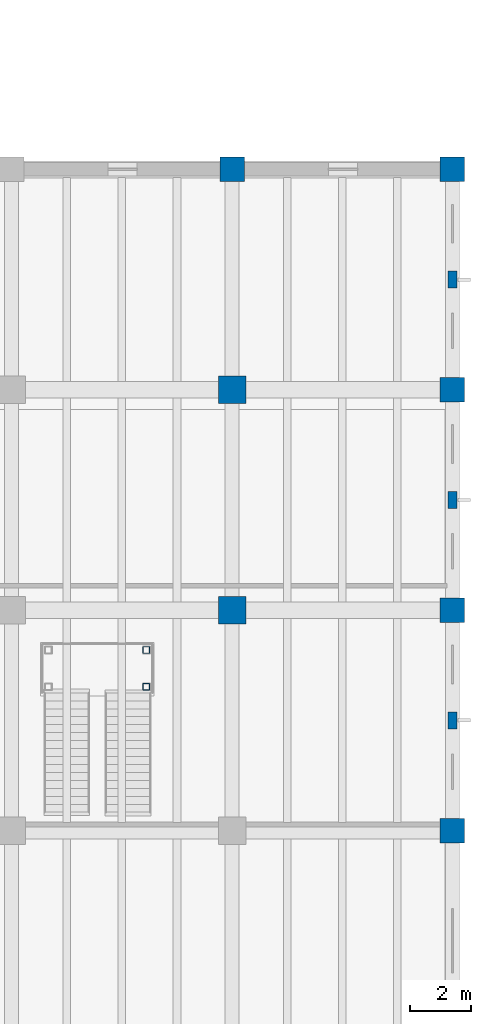
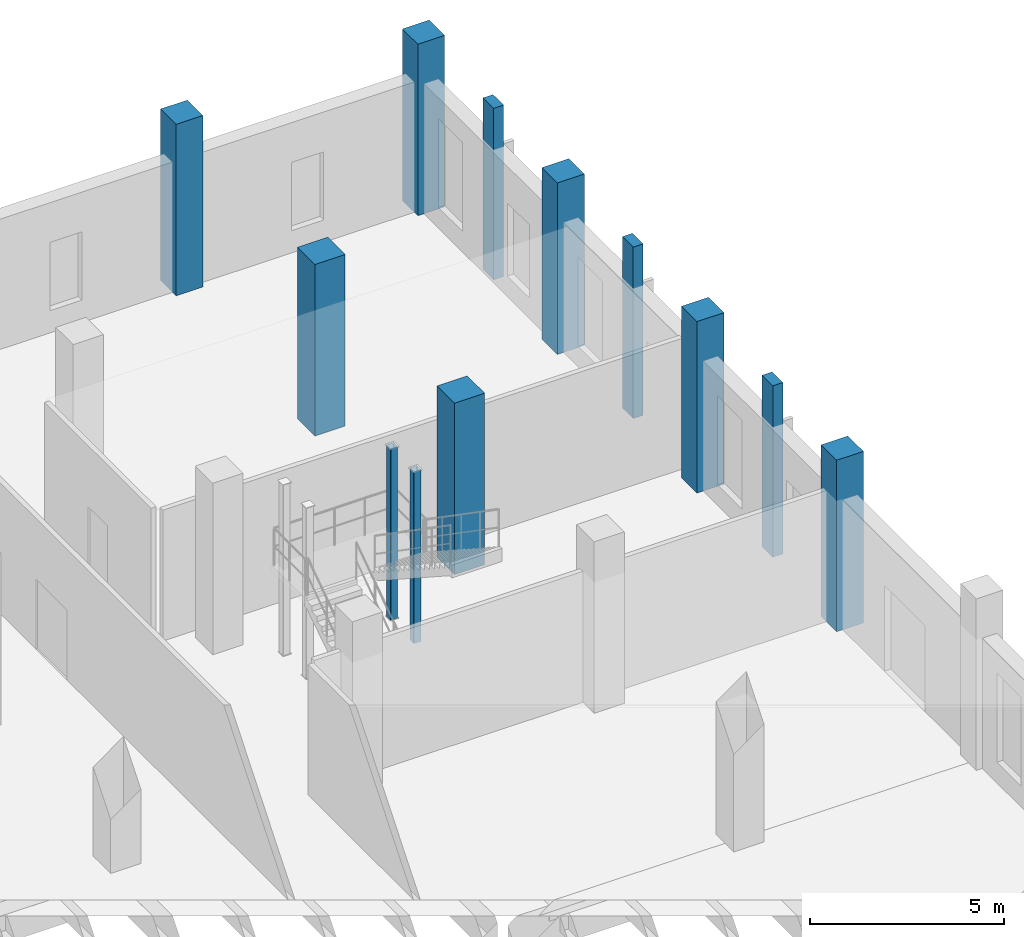
# One storey, part 17 of 79: 12 columns.
"""IFC4 building model written with IfcOpenShell, lengths in metres."""

from ifc_helpers import new_model, si_unit, direction, frame, origin, origin_2d, place, context, subcontext, project, spatial, rectangle, hollow_rectangle, extrude, material, material_profile, profile_set, type_object, element, save


model = new_model("IFC4")

# Units and contexts
model_context = context("Model", 3, precision=1e-05, world=origin(), true_north=direction((0.0, 1.0)))
body_context = subcontext(model_context, "Body", "Model", "MODEL_VIEW")
ifc_project = project(units=[si_unit("LENGTHUNIT", "METRE"), si_unit("AREAUNIT", "SQUARE_METRE"), si_unit("VOLUMEUNIT", "CUBIC_METRE"), si_unit("PLANEANGLEUNIT", "RADIAN"), si_unit("MASSUNIT", "GRAM", prefix="KILO")], contexts=[model_context])

# Site, building, storey
site_placement = place(None, origin())
site = spatial("IfcSite", under=ifc_project, at=site_placement, CompositionType="ELEMENT")
building_placement = place(site_placement, origin())
building = spatial("IfcBuilding", under=site, at=building_placement, Name="Qiaolan Assembly House", CompositionType="ELEMENT")
storey_placement = place(building_placement, origin())
storey = spatial("IfcBuildingStorey", under=building, at=storey_placement, Name="L00", CompositionType="ELEMENT", Elevation=0.0)

# Columns
ifc_material_1 = material(Name="Concrete C45/55", Category="concrete")
ifc_material_profile_1 = material_profile(ifc_material_1, rectangle(XDim=0.800048828125, YDim=0.800048828125, at=origin_2d()), Name="RC 800x800")
ifc_profile_set_1 = profile_set([ifc_material_profile_1], Name="Concrete C45/55")
column_type_1 = type_object("IfcColumnType", Name="COL-RC-800", PredefinedType="COLUMN", material=ifc_profile_set_1)
for number, where, z_axis, x_axis, name in (
    (1, (165.60009765625, 86.39990234375, 0.0), (0.0, 0.0, 1.0), (1.0, 0.0, 0.0), "RC-05 library column L00"),
    (2, (172.800048828125, 64.800048828125, 0.0), (0.0, 0.0, 1.0), (1.0, 0.0, 0.0), "RC-05 library column L00"),
    (3, (172.800048828125, 72.0, 0.0), (0.0, 0.0, 1.0), (1.0, 0.0, 0.0), "RC-05 library column L00"),
    (4, (172.800048828125, 79.199951171875, 0.0), (0.0, 0.0, 1.0), (1.0, 0.0, 0.0), "RC-05 library column L00"),
    (5, (172.800048828125, 86.39990234375, 0.0), (0.0, 0.0, 1.0), (1.0, 0.0, 0.0), "RC-05 library column L00"),
):
    element("IfcColumn", number, at=place(storey_placement, frame(where, z_axis=z_axis, x_axis=x_axis)), inside=storey, type_object=column_type_1, Name=name, PredefinedType="COLUMN", context=body_context, shape_type="SweptSolid", body=[
        extrude(rectangle(XDim=0.800048828125, YDim=0.800048828125, at=origin_2d()), origin(), (0.0, 0.0, 1.0), 5.39990234375),
    ])
ifc_material_2 = material(Name="Concrete C50/60", Category="concrete")
ifc_material_profile_2 = material_profile(ifc_material_2, rectangle(XDim=0.89990234375, YDim=0.89990234375, at=origin_2d()), Name="RC 900x900")
ifc_profile_set_2 = profile_set([ifc_material_profile_2], Name="Concrete C50/60")
column_type_2 = type_object("IfcColumnType", Name="COL-RC-900", PredefinedType="COLUMN", material=ifc_profile_set_2)
for number, where, z_axis, x_axis, name in (
    (6, (165.60009765625, 72.0, 0.0), (0.0, 0.0, 1.0), (1.0, 0.0, 0.0), "RC-03 library column L00"),
    (7, (165.60009765625, 79.199951171875, 0.0), (0.0, 0.0, 1.0), (1.0, 0.0, 0.0), "RC-03 library column L00"),
):
    element("IfcColumn", number, at=place(storey_placement, frame(where, z_axis=z_axis, x_axis=x_axis)), inside=storey, type_object=column_type_2, Name=name, PredefinedType="COLUMN", context=body_context, shape_type="SweptSolid", body=[
        extrude(rectangle(XDim=0.89990234375, YDim=0.89990234375, at=origin_2d()), origin(), (0.0, 0.0, 1.0), 5.39990234375),
    ])
ifc_material_3 = material(Name="Steel Q355B", Category="steel")
ifc_material_profile_3 = material_profile(ifc_material_3, hollow_rectangle(XDim=0.219970703125, YDim=0.219970703125, WallThickness=0.010009765625, InnerFilletRadius=0.010009765625, OuterFilletRadius=0.02001953125, at=origin_2d()), Name="SHS 220x220x10")
ifc_profile_set_3 = profile_set([ifc_material_profile_3], Name="Steel Q355B")
column_type_3 = type_object("IfcColumnType", Name="COL-STL-SHS220", PredefinedType="COLUMN", material=ifc_profile_set_3)
for number, where, z_axis, x_axis, name in (
    (8, (162.800048828125, 69.5, 0.0), (0.0, 0.0, 1.0), (1.0, 0.0, 0.0), "SC-08 library stair L00 column 2"),
    (9, (162.800048828125, 70.699951171875, 0.0), (0.0, 0.0, 1.0), (1.0, 0.0, 0.0), "SC-08 library stair L00 column 4"),
):
    element("IfcColumn", number, at=place(storey_placement, frame(where, z_axis=z_axis, x_axis=x_axis)), inside=storey, type_object=column_type_3, Name=name, PredefinedType="COLUMN", context=body_context, shape_type="SweptSolid", body=[
        extrude(hollow_rectangle(XDim=0.219970703125, YDim=0.219970703125, WallThickness=0.010009765625, InnerFilletRadius=0.010009765625, OuterFilletRadius=0.02001953125, at=origin_2d()), origin(), (0.0, 0.0, 1.0), 5.39990234375),
    ])
ifc_material_4 = material(Name="Precast concrete C45/55", Category="concrete")
ifc_material_profile_4 = material_profile(ifc_material_4, rectangle(XDim=0.550048828125, YDim=0.300048828125, at=origin_2d()), Name="PIL 550x300")
ifc_profile_set_4 = profile_set([ifc_material_profile_4], Name="Precast concrete C45/55")
column_type_4 = type_object("IfcColumnType", Name="PIL-LIB-550x300", PredefinedType="PILASTER", material=ifc_profile_set_4)
for number, where, z_axis, x_axis, name in (
    (10, (172.800048828125, 68.39990234375, 0.0), (0.0, 0.0, 1.0), (0.0, 1.0, 0.0), "PL-04 library pilaster L00"),
    (11, (172.800048828125, 75.60009765625, 0.0), (0.0, 0.0, 1.0), (0.0, 1.0, 0.0), "PL-04 library pilaster L00"),
    (12, (172.800048828125, 82.800048828125, 0.0), (0.0, 0.0, 1.0), (0.0, 1.0, 0.0), "PL-04 library pilaster L00"),
):
    element("IfcColumn", number, at=place(storey_placement, frame(where, z_axis=z_axis, x_axis=x_axis)), inside=storey, type_object=column_type_4, Name=name, PredefinedType="PILASTER", context=body_context, shape_type="SweptSolid", body=[
        extrude(rectangle(XDim=0.550048828125, YDim=0.300048828125, at=origin_2d()), origin(), (0.0, 0.0, 1.0), 5.39990234375),
    ])

save(model, "model.ifc")
